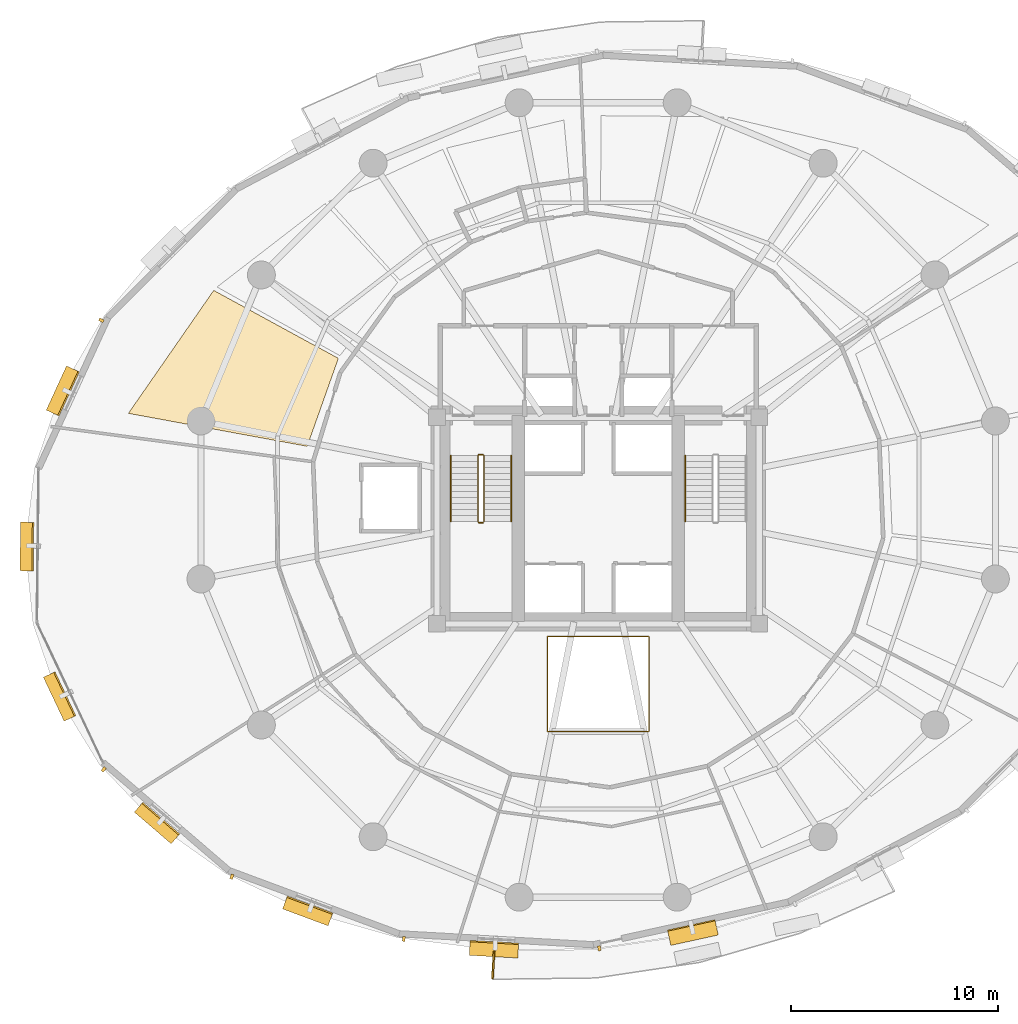
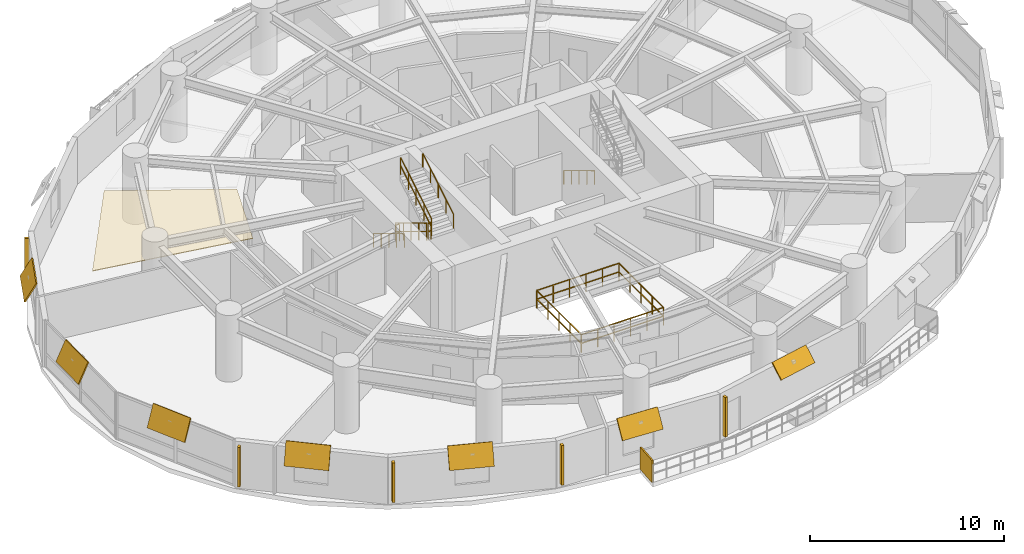
# One storey, part 15 of 17: 13 shading devices, 8 railings, 1 covering.
"""IFC4 building model written with IfcOpenShell, lengths in metres."""

from ifc_helpers import new_model, si_unit, direction, frame, origin, origin_2d, place, context, subcontext, project, spatial, polyline, rectangle, outline, extrude, material, layer, layer_set, type_object, element, save


model = new_model("IFC4")

# Units and contexts
model_context = context("Model", 3, precision=1e-05, world=origin(), true_north=direction((0.0, 1.0)))
body_context = subcontext(model_context, "Body", "Model", "MODEL_VIEW")
ifc_project = project(units=[si_unit("LENGTHUNIT", "METRE"), si_unit("AREAUNIT", "SQUARE_METRE"), si_unit("VOLUMEUNIT", "CUBIC_METRE"), si_unit("PLANEANGLEUNIT", "RADIAN"), si_unit("MASSUNIT", "GRAM", prefix="KILO"), si_unit("THERMODYNAMICTEMPERATUREUNIT", "KELVIN"), si_unit("POWERUNIT", "WATT")], contexts=[model_context])

# Site, building, storey
site_placement = place(None, origin())
site = spatial("IfcSite", under=ifc_project, at=site_placement, CompositionType="ELEMENT")
building_placement = place(site_placement, origin())
building = spatial("IfcBuilding", under=site, at=building_placement, Name="Ocrelia Relay Tower", CompositionType="ELEMENT")
storey_placement = place(building_placement, frame((0.0, 0.0, 84.60009765625)))
storey = spatial("IfcBuildingStorey", under=building, at=storey_placement, Name="L19", CompositionType="ELEMENT", Elevation=84.60009765625)

# Covering
ifc_material_1 = material(Name="Mineral-fiber acoustic ceiling tile", Category="gypsum")
ifc_layer_1 = layer(ifc_material_1, 0.0400390625, Name="Mineral-fiber acoustic ceiling tile")
ifc_layer_set_1 = layer_set([ifc_layer_1], Name="Mineral-fiber acoustic ceiling tile")
covering_type = type_object("IfcCoveringType", Name="COV-CEIL-ACOUSTIC", PredefinedType="CEILING", material=ifc_layer_set_1)
covering_placement = place(storey_placement, frame((0.0, 0.0, 2.8798828125)))
element("IfcCovering", 1, at=covering_placement, inside=storey, type_object=covering_type, Name="L19 Operations Control Office Suspended Ceiling 4", PredefinedType="CEILING", context=body_context, shape_type="SweptSolid", body=[
    extrude(outline(polyline([(21.42724609375, 32.85498046875), (15.394775390625, 36.143798828125), (11.2646484375, 30.193115234375), (19.91748046875, 28.597412109375), (21.42724609375, 32.85498046875)])), origin(), (0.0, 0.0, 1.0), 0.0400390625),
])

# Railings
ifc_material_2 = material(Name="Steel S355 atrium balustrade", Category="steel")
railing_type_1 = type_object("IfcRailingType", Name="RL-INT-GUARD-115", PredefinedType="GUARDRAIL", material=ifc_material_2)
railing_1_placement = place(storey_placement, frame((31.550048828125, 14.800048828125, 0.0)))
element("IfcRailing", 2, at=railing_1_placement, inside=storey, type_object=railing_type_1, Name="L19 Multi-Zone Interior Atrium Guard", PredefinedType="GUARDRAIL", context=body_context, shape_type="SweptSolid", body=[
    extrude(rectangle(XDim=0.048095703125, YDim=0.048095703125, at=origin_2d()), frame((0.0, 0.0, 1.1259765625), z_axis=(1.0, 0.0, 0.0), x_axis=(0.0, 1.0, 0.0)), (0.0, 0.0, 1.0), 4.89990234375),
    extrude(rectangle(XDim=0.048095703125, YDim=0.048095703125, at=origin_2d()), frame((0.0, 0.0, 0.574951171875), z_axis=(1.0, 0.0, 0.0), x_axis=(0.0, 1.0, 0.0)), (0.0, 0.0, 1.0), 4.89990234375),
    extrude(rectangle(XDim=0.048095703125, YDim=0.048095703125, at=origin_2d()), frame((4.89990234375, 0.0, 1.1259765625), z_axis=(0.0, 1.0, 0.0), x_axis=(-1.0, 0.0, 0.0)), (0.0, 0.0, 1.0), 4.599853515625),
    extrude(rectangle(XDim=0.048095703125, YDim=0.048095703125, at=origin_2d()), frame((4.89990234375, 0.0, 0.574951171875), z_axis=(0.0, 1.0, 0.0), x_axis=(-1.0, 0.0, 0.0)), (0.0, 0.0, 1.0), 4.599853515625),
    extrude(rectangle(XDim=0.048095703125, YDim=0.048095703125, at=origin_2d()), frame((4.89990234375, 4.599853515625, 1.1259765625), z_axis=(-1.0, 0.0, 0.0), x_axis=(0.0, -1.0, 0.0)), (0.0, 0.0, 1.0), 4.89990234375),
    extrude(rectangle(XDim=0.048095703125, YDim=0.048095703125, at=origin_2d()), frame((4.89990234375, 4.599853515625, 0.574951171875), z_axis=(-1.0, 0.0, 0.0), x_axis=(0.0, -1.0, 0.0)), (0.0, 0.0, 1.0), 4.89990234375),
    extrude(rectangle(XDim=0.048095703125, YDim=0.048095703125, at=origin_2d()), frame((0.0, 4.599853515625, 1.1259765625), z_axis=(0.0, -1.0, 0.0), x_axis=(1.0, 0.0, 0.0)), (0.0, 0.0, 1.0), 4.599853515625),
    extrude(rectangle(XDim=0.048095703125, YDim=0.048095703125, at=origin_2d()), frame((0.0, 4.599853515625, 0.574951171875), z_axis=(0.0, -1.0, 0.0), x_axis=(1.0, 0.0, 0.0)), (0.0, 0.0, 1.0), 4.599853515625),
    extrude(rectangle(XDim=0.0419921875, YDim=0.0419921875, at=origin_2d()), origin(), (0.0, 0.0, 1.0), 1.101806640625),
    extrude(rectangle(XDim=0.0419921875, YDim=0.0419921875, at=origin_2d()), frame((0.97998046875, 0.0, 0.0)), (0.0, 0.0, 1.0), 1.101806640625),
    extrude(rectangle(XDim=0.0419921875, YDim=0.0419921875, at=origin_2d()), frame((1.9599609375, 0.0, 0.0)), (0.0, 0.0, 1.0), 1.101806640625),
    extrude(rectangle(XDim=0.0419921875, YDim=0.0419921875, at=origin_2d()), frame((2.93994140625, 0.0, 0.0)), (0.0, 0.0, 1.0), 1.101806640625),
    extrude(rectangle(XDim=0.0419921875, YDim=0.0419921875, at=origin_2d()), frame((3.919921875, 0.0, 0.0)), (0.0, 0.0, 1.0), 1.101806640625),
    extrude(rectangle(XDim=0.0419921875, YDim=0.0419921875, at=origin_2d()), frame((4.89990234375, 0.0, 0.0)), (0.0, 0.0, 1.0), 1.101806640625),
    extrude(rectangle(XDim=0.0419921875, YDim=0.0419921875, at=origin_2d()), frame((4.89990234375, 1.14990234375, 0.0)), (0.0, 0.0, 1.0), 1.101806640625),
    extrude(rectangle(XDim=0.0419921875, YDim=0.0419921875, at=origin_2d()), frame((4.89990234375, 2.2998046875, 0.0)), (0.0, 0.0, 1.0), 1.101806640625),
    extrude(rectangle(XDim=0.0419921875, YDim=0.0419921875, at=origin_2d()), frame((4.89990234375, 3.449951171875, 0.0)), (0.0, 0.0, 1.0), 1.101806640625),
    extrude(rectangle(XDim=0.0419921875, YDim=0.0419921875, at=origin_2d()), frame((4.89990234375, 4.599853515625, 0.0)), (0.0, 0.0, 1.0), 1.101806640625),
    extrude(rectangle(XDim=0.0419921875, YDim=0.0419921875, at=origin_2d()), frame((3.919921875, 4.599853515625, 0.0)), (0.0, 0.0, 1.0), 1.101806640625),
    extrude(rectangle(XDim=0.0419921875, YDim=0.0419921875, at=origin_2d()), frame((2.93994140625, 4.599853515625, 0.0)), (0.0, 0.0, 1.0), 1.101806640625),
    extrude(rectangle(XDim=0.0419921875, YDim=0.0419921875, at=origin_2d()), frame((1.9599609375, 4.599853515625, 0.0)), (0.0, 0.0, 1.0), 1.101806640625),
    extrude(rectangle(XDim=0.0419921875, YDim=0.0419921875, at=origin_2d()), frame((0.97998046875, 4.599853515625, 0.0)), (0.0, 0.0, 1.0), 1.101806640625),
    extrude(rectangle(XDim=0.0419921875, YDim=0.0419921875, at=origin_2d()), frame((0.0, 4.599853515625, 0.0)), (0.0, 0.0, 1.0), 1.101806640625),
    extrude(rectangle(XDim=0.0419921875, YDim=0.0419921875, at=origin_2d()), frame((0.0, 3.449951171875, 0.0)), (0.0, 0.0, 1.0), 1.101806640625),
    extrude(rectangle(XDim=0.0419921875, YDim=0.0419921875, at=origin_2d()), frame((0.0, 2.2998046875, 0.0)), (0.0, 0.0, 1.0), 1.101806640625),
    extrude(rectangle(XDim=0.0419921875, YDim=0.0419921875, at=origin_2d()), frame((0.0, 1.14990234375, 0.0)), (0.0, 0.0, 1.0), 1.101806640625),
])
ifc_material_3 = material(Name="Steel S355 balustrade", Category="steel")
railing_type_2 = type_object("IfcRailingType", Name="RL-STAIR-GUARD", PredefinedType="GUARDRAIL", material=ifc_material_3)
railing_2_placement = place(storey_placement, frame((28.179931640625, 28.14990234375, 0.1748046875)))
element("IfcRailing", 3, at=railing_2_placement, inside=storey, type_object=railing_type_2, Name="L19 ST1 stair guard 1", PredefinedType="GUARDRAIL", context=body_context, shape_type="SweptSolid", body=[
    extrude(rectangle(XDim=0.048095703125, YDim=0.048095703125, at=origin_2d()), frame((0.0, 0.0, 1.076171875), z_axis=(0.0, -0.856177665481, 0.516681531633), x_axis=(1.0, 0.0, 0.0)), (0.0, 0.0, 1.0), 3.725830078125),
    extrude(rectangle(XDim=0.048095703125, YDim=0.048095703125, at=origin_2d()), frame((0.0, 0.0, 0.550048828125), z_axis=(0.0, -0.856177665481, 0.516681531633), x_axis=(1.0, 0.0, 0.0)), (0.0, 0.0, 1.0), 3.725830078125),
    extrude(rectangle(XDim=0.0419921875, YDim=0.0419921875, at=origin_2d()), origin(), (0.0, 0.0, 1.0), 1.052001953125),
    extrude(rectangle(XDim=0.0419921875, YDim=0.0419921875, at=origin_2d()), frame((0.0, -0.79736328125, 0.481201171875)), (0.0, 0.0, 1.0), 1.052001953125),
    extrude(rectangle(XDim=0.0419921875, YDim=0.0419921875, at=origin_2d()), frame((0.0, -1.594970703125, 0.96240234375)), (0.0, 0.0, 1.0), 1.052001953125),
    extrude(rectangle(XDim=0.0419921875, YDim=0.0419921875, at=origin_2d()), frame((0.0, -2.392578125, 1.44384765625)), (0.0, 0.0, 1.0), 1.052001953125),
    extrude(rectangle(XDim=0.0419921875, YDim=0.0419921875, at=origin_2d()), frame((0.0, -3.18994140625, 1.925048828125)), (0.0, 0.0, 1.0), 1.052001953125),
])
railing_3_placement = place(storey_placement, frame((28.22998046875, 24.909912109375, 2.099853515625)))
element("IfcRailing", 4, at=railing_3_placement, inside=storey, type_object=railing_type_2, Name="L19 ST1 stair guard 2", PredefinedType="GUARDRAIL", context=body_context, shape_type="SweptSolid", body=[
    extrude(rectangle(XDim=0.048095703125, YDim=0.048095703125, at=origin_2d()), frame((0.0, 0.0, 1.076171875), z_axis=(1.0, 0.0, 0.0), x_axis=(0.0, 1.0, 0.0)), (0.0, 0.0, 1.0), 0.199951171875),
    extrude(rectangle(XDim=0.048095703125, YDim=0.048095703125, at=origin_2d()), frame((0.0, 0.0, 0.550048828125), z_axis=(1.0, 0.0, 0.0), x_axis=(0.0, 1.0, 0.0)), (0.0, 0.0, 1.0), 0.199951171875),
    extrude(rectangle(XDim=0.0419921875, YDim=0.0419921875, at=origin_2d()), origin(), (0.0, 0.0, 1.0), 1.052001953125),
    extrude(rectangle(XDim=0.0419921875, YDim=0.0419921875, at=origin_2d()), frame((0.199951171875, 0.0, 0.0)), (0.0, 0.0, 1.0), 1.052001953125),
])
railing_4_placement = place(storey_placement, frame((28.47998046875, 24.9599609375, 2.27490234375)))
element("IfcRailing", 5, at=railing_4_placement, inside=storey, type_object=railing_type_2, Name="L19 ST1 stair guard 3", PredefinedType="GUARDRAIL", context=body_context, shape_type="SweptSolid", body=[
    extrude(rectangle(XDim=0.048095703125, YDim=0.048095703125, at=origin_2d()), frame((0.0, 0.0, 1.076171875), z_axis=(0.0, 0.856177665481, 0.516681531633), x_axis=(-1.0, 0.0, 0.0)), (0.0, 0.0, 1.0), 3.725830078125),
    extrude(rectangle(XDim=0.048095703125, YDim=0.048095703125, at=origin_2d()), frame((0.0, 0.0, 0.550048828125), z_axis=(0.0, 0.856177665481, 0.516681531633), x_axis=(-1.0, 0.0, 0.0)), (0.0, 0.0, 1.0), 3.725830078125),
    extrude(rectangle(XDim=0.0419921875, YDim=0.0419921875, at=origin_2d()), origin(), (0.0, 0.0, 1.0), 1.052001953125),
    extrude(rectangle(XDim=0.0419921875, YDim=0.0419921875, at=origin_2d()), frame((0.0, 0.79736328125, 0.481201171875)), (0.0, 0.0, 1.0), 1.052001953125),
    extrude(rectangle(XDim=0.0419921875, YDim=0.0419921875, at=origin_2d()), frame((0.0, 1.594970703125, 0.96240234375)), (0.0, 0.0, 1.0), 1.052001953125),
    extrude(rectangle(XDim=0.0419921875, YDim=0.0419921875, at=origin_2d()), frame((0.0, 2.392578125, 1.44384765625)), (0.0, 0.0, 1.0), 1.052001953125),
    extrude(rectangle(XDim=0.0419921875, YDim=0.0419921875, at=origin_2d()), frame((0.0, 3.18994140625, 1.925048828125)), (0.0, 0.0, 1.0), 1.052001953125),
])
railing_5_placement = place(storey_placement, frame((28.22998046875, 28.199951171875, 0.0)))
element("IfcRailing", 6, at=railing_5_placement, inside=storey, type_object=railing_type_2, Name="L19 ST1 stair guard 4", PredefinedType="GUARDRAIL", context=body_context, shape_type="SweptSolid", body=[
    extrude(rectangle(XDim=0.048095703125, YDim=0.048095703125, at=origin_2d()), frame((0.0, 0.0, 1.076171875), z_axis=(1.0, 0.0, 0.0), x_axis=(0.0, 1.0, 0.0)), (0.0, 0.0, 1.0), 0.199951171875),
    extrude(rectangle(XDim=0.048095703125, YDim=0.048095703125, at=origin_2d()), frame((0.0, 0.0, 0.550048828125), z_axis=(1.0, 0.0, 0.0), x_axis=(0.0, 1.0, 0.0)), (0.0, 0.0, 1.0), 0.199951171875),
    extrude(rectangle(XDim=0.0419921875, YDim=0.0419921875, at=origin_2d()), origin(), (0.0, 0.0, 1.0), 1.052001953125),
    extrude(rectangle(XDim=0.0419921875, YDim=0.0419921875, at=origin_2d()), frame((0.199951171875, 0.0, 0.0)), (0.0, 0.0, 1.0), 1.052001953125),
])
ifc_material_4 = material(Name="Steel S355 tubular handrail", Category="steel")
railing_type_3 = type_object("IfcRailingType", Name="RL-STAIR-HAND", PredefinedType="HANDRAIL", material=ifc_material_4)
railing_6_placement = place(storey_placement, frame((26.860107421875, 28.14990234375, 0.1748046875)))
element("IfcRailing", 7, at=railing_6_placement, inside=storey, type_object=railing_type_3, Name="L19 ST1 stair handrail 1", PredefinedType="HANDRAIL", context=body_context, shape_type="SweptSolid", body=[
    extrude(rectangle(XDim=0.048095703125, YDim=0.048095703125, at=origin_2d()), frame((0.0, 0.0, 0.8759765625), z_axis=(0.0, -0.856177665481, 0.516681531633), x_axis=(1.0, 0.0, 0.0)), (0.0, 0.0, 1.0), 3.725830078125),
    extrude(rectangle(XDim=0.0419921875, YDim=0.0419921875, at=origin_2d()), origin(), (0.0, 0.0, 1.0), 0.851806640625),
    extrude(rectangle(XDim=0.0419921875, YDim=0.0419921875, at=origin_2d()), frame((0.0, -0.79736328125, 0.481201171875)), (0.0, 0.0, 1.0), 0.851806640625),
    extrude(rectangle(XDim=0.0419921875, YDim=0.0419921875, at=origin_2d()), frame((0.0, -1.594970703125, 0.96240234375)), (0.0, 0.0, 1.0), 0.851806640625),
    extrude(rectangle(XDim=0.0419921875, YDim=0.0419921875, at=origin_2d()), frame((0.0, -2.392578125, 1.44384765625)), (0.0, 0.0, 1.0), 0.851806640625),
    extrude(rectangle(XDim=0.0419921875, YDim=0.0419921875, at=origin_2d()), frame((0.0, -3.18994140625, 1.925048828125)), (0.0, 0.0, 1.0), 0.851806640625),
])
railing_7_placement = place(storey_placement, frame((29.800048828125, 24.9599609375, 2.27490234375)))
element("IfcRailing", 8, at=railing_7_placement, inside=storey, type_object=railing_type_3, Name="L19 ST1 stair handrail 2", PredefinedType="HANDRAIL", context=body_context, shape_type="SweptSolid", body=[
    extrude(rectangle(XDim=0.048095703125, YDim=0.048095703125, at=origin_2d()), frame((0.0, 0.0, 0.8759765625), z_axis=(0.0, 0.856177665481, 0.516681531633), x_axis=(-1.0, 0.0, 0.0)), (0.0, 0.0, 1.0), 3.725830078125),
    extrude(rectangle(XDim=0.0419921875, YDim=0.0419921875, at=origin_2d()), origin(), (0.0, 0.0, 1.0), 0.851806640625),
    extrude(rectangle(XDim=0.0419921875, YDim=0.0419921875, at=origin_2d()), frame((0.0, 0.79736328125, 0.481201171875)), (0.0, 0.0, 1.0), 0.851806640625),
    extrude(rectangle(XDim=0.0419921875, YDim=0.0419921875, at=origin_2d()), frame((0.0, 1.594970703125, 0.96240234375)), (0.0, 0.0, 1.0), 0.851806640625),
    extrude(rectangle(XDim=0.0419921875, YDim=0.0419921875, at=origin_2d()), frame((0.0, 2.392578125, 1.44384765625)), (0.0, 0.0, 1.0), 0.851806640625),
    extrude(rectangle(XDim=0.0419921875, YDim=0.0419921875, at=origin_2d()), frame((0.0, 3.18994140625, 1.925048828125)), (0.0, 0.0, 1.0), 0.851806640625),
])
railing_8_placement = place(storey_placement, frame((38.2099609375, 28.14990234375, 0.1748046875)))
element("IfcRailing", 9, at=railing_8_placement, inside=storey, type_object=railing_type_3, Name="L19 ST2 stair handrail 1", PredefinedType="HANDRAIL", context=body_context, shape_type="SweptSolid", body=[
    extrude(rectangle(XDim=0.048095703125, YDim=0.048095703125, at=origin_2d()), frame((0.0, 0.0, 0.8759765625), z_axis=(0.0, -0.856177665481, 0.516681531633), x_axis=(1.0, 0.0, 0.0)), (0.0, 0.0, 1.0), 3.725830078125),
    extrude(rectangle(XDim=0.0419921875, YDim=0.0419921875, at=origin_2d()), origin(), (0.0, 0.0, 1.0), 0.851806640625),
    extrude(rectangle(XDim=0.0419921875, YDim=0.0419921875, at=origin_2d()), frame((0.0, -0.79736328125, 0.481201171875)), (0.0, 0.0, 1.0), 0.851806640625),
    extrude(rectangle(XDim=0.0419921875, YDim=0.0419921875, at=origin_2d()), frame((0.0, -1.594970703125, 0.96240234375)), (0.0, 0.0, 1.0), 0.851806640625),
    extrude(rectangle(XDim=0.0419921875, YDim=0.0419921875, at=origin_2d()), frame((0.0, -2.392578125, 1.44384765625)), (0.0, 0.0, 1.0), 0.851806640625),
    extrude(rectangle(XDim=0.0419921875, YDim=0.0419921875, at=origin_2d()), frame((0.0, -3.18994140625, 1.925048828125)), (0.0, 0.0, 1.0), 0.851806640625),
])

# Shading devices
ifc_material_5 = material(Name="Perforated oxide terracotta solar screen", Category="masonry")
ifc_layer_2 = layer(ifc_material_5, 0.090087890625, Name="Perforated oxide terracotta solar screen")
ifc_layer_set_2 = layer_set([ifc_layer_2], Name="Perforated oxide terracotta solar screen")
shading_device_type_1 = type_object("IfcShadingDeviceType", Name="SH-BALC-SCREEN", PredefinedType="USERDEFINED", material=ifc_layer_set_2)
shading_device_1_placement = place(storey_placement, frame((28.92431640625, 3.490234375, 0.0), z_axis=(0.0, 0.0, 1.0), x_axis=(-0.05783860789, -0.998325946491, 0.0)))
element("IfcShadingDevice", 10, at=shading_device_1_placement, inside=storey, type_object=shading_device_type_1, Name="L19 Balcony Perforated Terracotta Screen B2-1", ObjectType="SCREEN", PredefinedType="USERDEFINED", context=body_context, shape_type="SweptSolid", body=[
    extrude(rectangle(XDim=1.340087890625, YDim=0.090087890625, at=origin_2d()), origin(), (0.0, 0.0, 1.0), 1.39990234375),
])
ifc_material_6 = material(Name="Extruded oxide terracotta vertical baguette", Category="masonry")
shading_device_type_2 = type_object("IfcShadingDeviceType", Name="SH-TERR-BAGUETTE", PredefinedType="USERDEFINED", material=ifc_material_6)
for number, where, z_axis, x_axis, name in (
    (11, (9.959228515625, 34.697509765625, 0.22998046875), (0.0, 0.0, 1.0), (-0.417064182171, -0.90887703676, 0.0), "L19 Oxide Terracotta Vertical Baguette 08"),
    (12, (10.071533203125, 12.96533203125, 0.22998046875), (0.0, 0.0, 1.0), (0.758694890183, -0.651446132547, 0.0), "L19 Oxide Terracotta Vertical Baguette 11"),
    (13, (16.27001953125, 7.771484375, 0.22998046875), (0.0, 0.0, 1.0), (0.937357586951, -0.348368704371, 0.0), "L19 Oxide Terracotta Vertical Baguette 12"),
    (14, (24.59375, 4.764404296875, 0.22998046875), (0.0, 0.0, 1.0), (0.998409567499, -0.056376728598, 0.0), "L19 Oxide Terracotta Vertical Baguette 13"),
    (15, (34.054443359375, 4.30322265625, 0.22998046875), (0.0, 0.0, 1.0), (0.976859322535, 0.213882827681, 0.0), "L19 Oxide Terracotta Vertical Baguette 14"),
):
    element("IfcShadingDevice", number, at=place(storey_placement, frame(where, z_axis=z_axis, x_axis=x_axis)), inside=storey, type_object=shading_device_type_2, Name=name, ObjectType="BAGUETTE", PredefinedType="USERDEFINED", context=body_context, shape_type="SweptSolid", body=[
        extrude(rectangle(XDim=0.139892578125, YDim=0.239990234375, at=origin_2d()), origin(), (0.0, 0.0, 1.0), 2.5),
    ])
ifc_material_7 = material(Name="Extruded oxide terracotta fin", Category="masonry")
ifc_layer_3 = layer(ifc_material_7, 0.080078125, Name="Extruded oxide terracotta fin")
ifc_layer_set_3 = layer_set([ifc_layer_3], Name="Extruded oxide terracotta fin")
shading_device_type_3 = type_object("IfcShadingDeviceType", Name="SH-VISOR-FIN-DEEP", PredefinedType="USERDEFINED", material=ifc_layer_set_3)
shading_device_2_placement = place(storey_placement, frame((8.1220703125, 31.2626953125, 2.780517578125), z_axis=(-0.797141816575, 0.365791285683, 0.480376581014), x_axis=(-0.417064182171, -0.90887703676, 0.0)))
element("IfcShadingDevice", 16, at=shading_device_2_placement, inside=storey, type_object=shading_device_type_3, Name="L19 Canted Terracotta Sun-Visor Fin 08", ObjectType="FIN", PredefinedType="USERDEFINED", context=body_context, shape_type="SweptSolid", body=[
    extrude(rectangle(XDim=2.35009765625, YDim=1.27099609375, at=origin_2d()), origin(), (0.0, 0.0, 1.0), 0.080078125),
])
shading_device_3_placement = place(storey_placement, frame((6.39013671875, 23.748046875, 2.782470703125), z_axis=(-0.902534113214, 0.009610931824, 0.430511096808), x_axis=(-0.010648225703, -0.999943306038, 0.0)))
element("IfcShadingDevice", 17, at=shading_device_3_placement, inside=storey, type_object=shading_device_type_3, Name="L19 Canted Terracotta Sun-Visor Fin 09", ObjectType="FIN", PredefinedType="USERDEFINED", context=body_context, shape_type="SweptSolid", body=[
    extrude(rectangle(XDim=2.35009765625, YDim=1.324951171875, at=origin_2d()), origin(), (0.0, 0.0, 1.0), 0.080078125),
])
shading_device_4_placement = place(storey_placement, frame((7.968994140625, 16.506591796875, 2.783447265625), z_axis=(-0.825273190697, -0.390282571533, 0.408171134544), x_axis=(0.42751697878, -0.904007319027, 0.0)))
element("IfcShadingDevice", 18, at=shading_device_4_placement, inside=storey, type_object=shading_device_type_3, Name="L19 Canted Terracotta Sun-Visor Fin 10", ObjectType="FIN", PredefinedType="USERDEFINED", context=body_context, shape_type="SweptSolid", body=[
    extrude(rectangle(XDim=2.35009765625, YDim=1.34912109375, at=origin_2d()), origin(), (0.0, 0.0, 1.0), 0.080078125),
])
shading_device_5_placement = place(storey_placement, frame((12.673583984375, 10.39453125, 2.783203125), z_axis=(-0.5929792067, -0.690602448354, 0.41405786884), x_axis=(0.758694890183, -0.651446132547, 0.0)))
element("IfcShadingDevice", 19, at=shading_device_5_placement, inside=storey, type_object=shading_device_type_3, Name="L19 Canted Terracotta Sun-Visor Fin 11", ObjectType="FIN", PredefinedType="USERDEFINED", context=body_context, shape_type="SweptSolid", body=[
    extrude(rectangle(XDim=2.35009765625, YDim=1.342041015625, at=origin_2d()), origin(), (0.0, 0.0, 1.0), 0.080078125),
])
shading_device_6_placement = place(storey_placement, frame((19.95654296875, 6.145263671875, 2.781494140625), z_axis=(-0.309955923617, -0.834000106718, 0.456476885952), x_axis=(0.937357586951, -0.348368704371, 0.0)))
element("IfcShadingDevice", 20, at=shading_device_6_placement, inside=storey, type_object=shading_device_type_3, Name="L19 Canted Terracotta Sun-Visor Fin 12", ObjectType="FIN", PredefinedType="USERDEFINED", context=body_context, shape_type="SweptSolid", body=[
    extrude(rectangle(XDim=2.35009765625, YDim=1.297119140625, at=origin_2d()), origin(), (0.0, 0.0, 1.0), 0.080078125),
])
shading_device_7_placement = place(storey_placement, frame((28.958984375, 4.29296875, 2.77783203125), z_axis=(-0.0471740346, -0.835433496299, 0.547563223493), x_axis=(0.998409567499, -0.056376728598, 0.0)))
element("IfcShadingDevice", 21, at=shading_device_7_placement, inside=storey, type_object=shading_device_type_3, Name="L19 Canted Terracotta Sun-Visor Fin 13", ObjectType="FIN", PredefinedType="USERDEFINED", context=body_context, shape_type="SweptSolid", body=[
    extrude(rectangle(XDim=2.35009765625, YDim=1.197021484375, at=origin_2d()), origin(), (0.0, 0.0, 1.0), 0.080078125),
])
ifc_layer_4 = layer(ifc_material_7, 0.080078125, Name="Extruded oxide terracotta fin")
ifc_layer_set_4 = layer_set([ifc_layer_4], Name="Extruded oxide terracotta fin")
shading_device_type_4 = type_object("IfcShadingDeviceType", Name="SH-VISOR-FIN-MED", PredefinedType="USERDEFINED", material=ifc_layer_set_4)
shading_device_8_placement = place(storey_placement, frame((38.57666015625, 5.09765625, 2.772705078125), z_axis=(0.157084311713, -0.717445509696, 0.678672571739), x_axis=(0.976859322535, 0.213882827681, 0.0)))
element("IfcShadingDevice", 22, at=shading_device_8_placement, inside=storey, type_object=shading_device_type_4, Name="L19 Canted Terracotta Sun-Visor Fin 14", ObjectType="FIN", PredefinedType="USERDEFINED", context=body_context, shape_type="SweptSolid", body=[
    extrude(rectangle(XDim=2.35009765625, YDim=1.0380859375, at=origin_2d()), origin(), (0.0, 0.0, 1.0), 0.080078125),
])

save(model, "model.ifc")
